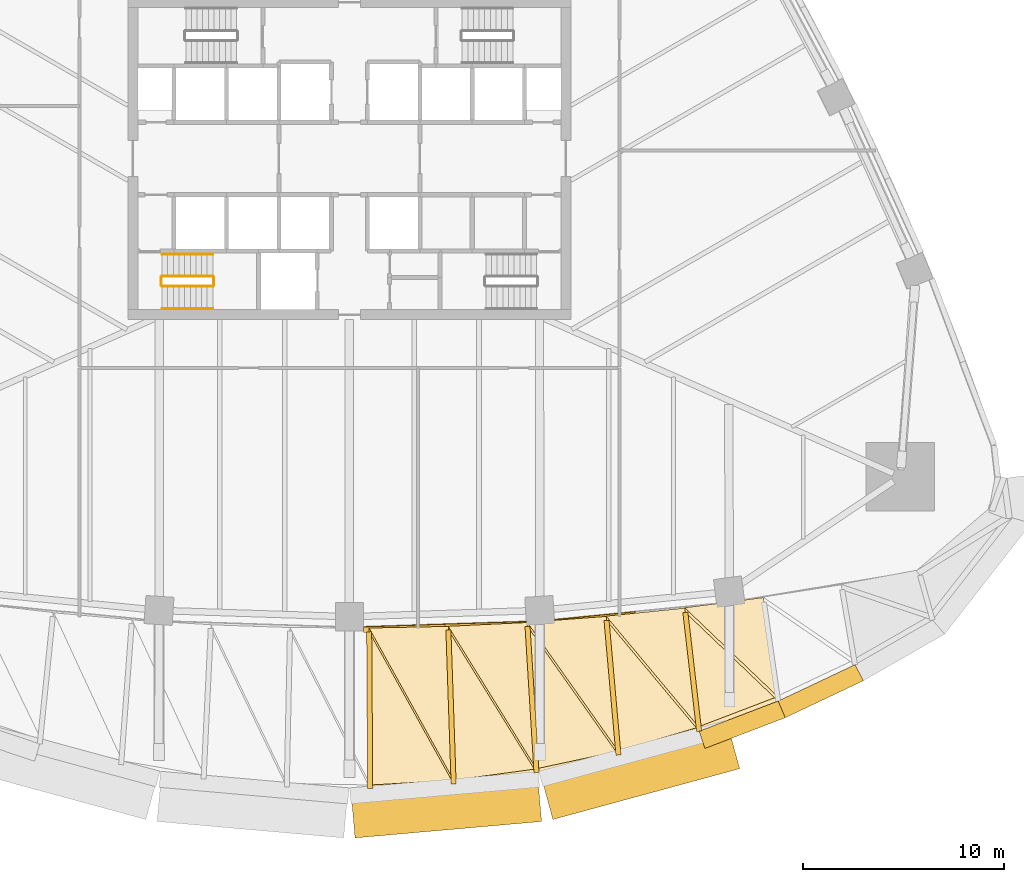
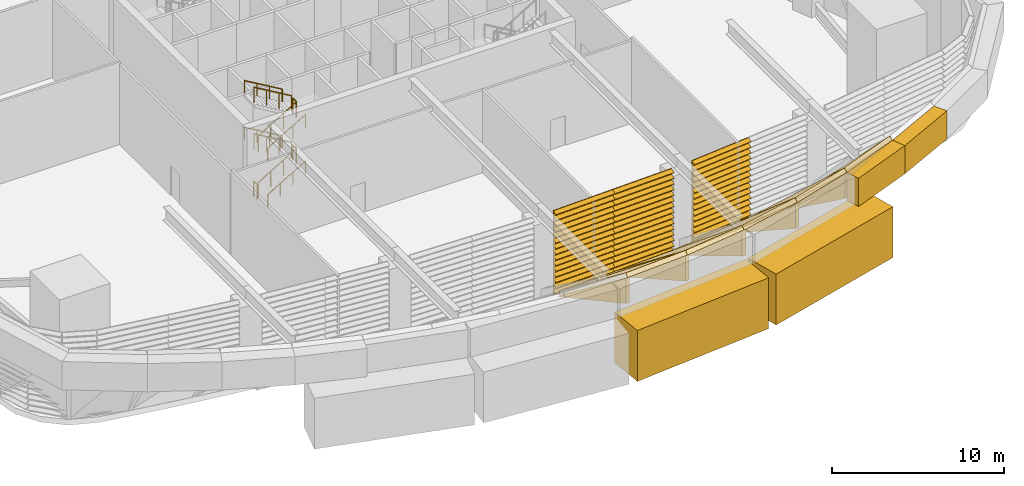
# One storey, part 10 of 15: 19 coverings, 11 railings, 3 shading devices.
"""IFC4 building model written with IfcOpenShell, lengths in metres."""

from ifc_helpers import new_model, si_unit, direction, frame, origin, origin_2d, place, context, subcontext, project, spatial, polyline, circle, outline, extrude, material, layer, layer_set, type_object, element, save


model = new_model("IFC4")

# Units and contexts
model_context = context("Model", 3, precision=1e-05, world=origin(), true_north=direction((0.0, 1.0)))
body_context = subcontext(model_context, "Body", "Model", "MODEL_VIEW")
ifc_project = project(units=[si_unit("LENGTHUNIT", "METRE"), si_unit("AREAUNIT", "SQUARE_METRE"), si_unit("VOLUMEUNIT", "CUBIC_METRE"), si_unit("PLANEANGLEUNIT", "RADIAN"), si_unit("MASSUNIT", "GRAM", prefix="KILO")], contexts=[model_context])

# Site, building, storey
site_placement = place(None, origin())
site = spatial("IfcSite", under=ifc_project, at=site_placement, CompositionType="ELEMENT")
building_placement = place(site_placement, origin())
building = spatial("IfcBuilding", under=site, at=building_placement, Name="Sierra Prisma Convention Tower", CompositionType="ELEMENT")
storey_placement = place(building_placement, frame((0.0, 0.0, 34.199951171875)))
storey = spatial("IfcBuildingStorey", under=building, at=storey_placement, Name="L05", CompositionType="ELEMENT", Elevation=34.199951171875)

# Railings
ifc_material_1 = material(Name="Stainless steel", Category="steel")
railing_type_1 = type_object("IfcRailingType", Name="Exit stair handrail", PredefinedType="HANDRAIL", material=ifc_material_1)
railing_1_placement = place(storey_placement, frame((-9.300048828125, -7.449951171875, 0.1650390625)))
element("IfcRailing", 1, at=railing_1_placement, inside=storey, type_object=railing_type_1, Name="L05 S1 stair handrail 1", PredefinedType="HANDRAIL", context=body_context, shape_type="SweptSolid", body=[
    extrude(circle(Radius=0.02392578125, at=origin_2d()), frame((0.0, 0.0, 0.8759765625), z_axis=(0.86152411907, 0.0, 0.507716645641), x_axis=(0.0, 1.0, 0.0)), (0.0, 0.0, 1.0), 2.925048828125),
    extrude(circle(Radius=0.02099609375, at=origin_2d()), origin(), (0.0, 0.0, 1.0), 0.851806640625),
    extrude(circle(Radius=0.02099609375, at=origin_2d()), frame((0.840087890625, 0.0, 0.4951171875)), (0.0, 0.0, 1.0), 0.851806640625),
    extrude(circle(Radius=0.02099609375, at=origin_2d()), frame((1.679931640625, 0.0, 0.989990234375)), (0.0, 0.0, 1.0), 0.851806640625),
    extrude(circle(Radius=0.02099609375, at=origin_2d()), frame((2.52001953125, 0.0, 1.485107421875)), (0.0, 0.0, 1.0), 0.851806640625),
])
railing_2_placement = place(storey_placement, frame((-6.780029296875, -4.75, 1.81494140625)))
element("IfcRailing", 2, at=railing_2_placement, inside=storey, type_object=railing_type_1, Name="L05 S1 stair handrail 2", PredefinedType="HANDRAIL", context=body_context, shape_type="SweptSolid", body=[
    extrude(circle(Radius=0.02392578125, at=origin_2d()), frame((0.0, 0.0, 0.8759765625), z_axis=(-0.86152411907, 0.0, 0.507716645641), x_axis=(0.0, -1.0, 0.0)), (0.0, 0.0, 1.0), 2.925048828125),
    extrude(circle(Radius=0.02099609375, at=origin_2d()), origin(), (0.0, 0.0, 1.0), 0.851806640625),
    extrude(circle(Radius=0.02099609375, at=origin_2d()), frame((-0.840087890625, 0.0, 0.4951171875)), (0.0, 0.0, 1.0), 0.851806640625),
    extrude(circle(Radius=0.02099609375, at=origin_2d()), frame((-1.679931640625, 0.0, 0.989990234375)), (0.0, 0.0, 1.0), 0.851806640625),
    extrude(circle(Radius=0.02099609375, at=origin_2d()), frame((-2.52001953125, 0.0, 1.485107421875)), (0.0, 0.0, 1.0), 0.851806640625),
])
railing_3_placement = place(storey_placement, frame((-9.300048828125, -7.449951171875, 3.465087890625)))
element("IfcRailing", 3, at=railing_3_placement, inside=storey, type_object=railing_type_1, Name="L05 S1 stair handrail 3", PredefinedType="HANDRAIL", context=body_context, shape_type="SweptSolid", body=[
    extrude(circle(Radius=0.02392578125, at=origin_2d()), frame((0.0, 0.0, 0.8759765625), z_axis=(0.861560626758, 0.0, 0.507654692109), x_axis=(0.0, 1.0, 0.0)), (0.0, 0.0, 1.0), 2.925048828125),
    extrude(circle(Radius=0.02099609375, at=origin_2d()), origin(), (0.0, 0.0, 1.0), 0.851806640625),
    extrude(circle(Radius=0.02099609375, at=origin_2d()), frame((0.840087890625, 0.0, 0.494873046875)), (0.0, 0.0, 1.0), 0.851806640625),
    extrude(circle(Radius=0.02099609375, at=origin_2d()), frame((1.679931640625, 0.0, 0.989990234375)), (0.0, 0.0, 1.0), 0.851806640625),
    extrude(circle(Radius=0.02099609375, at=origin_2d()), frame((2.52001953125, 0.0, 1.48486328125)), (0.0, 0.0, 1.0), 0.851806640625),
])
railing_4_placement = place(storey_placement, frame((-6.780029296875, -4.75, 5.114990234375)))
element("IfcRailing", 4, at=railing_4_placement, inside=storey, type_object=railing_type_1, Name="L05 S1 stair handrail 4", PredefinedType="HANDRAIL", context=body_context, shape_type="SweptSolid", body=[
    extrude(circle(Radius=0.02392578125, at=origin_2d()), frame((0.0, 0.0, 0.8759765625), z_axis=(-0.86152411907, 0.0, 0.507716645641), x_axis=(0.0, -1.0, 0.0)), (0.0, 0.0, 1.0), 2.925048828125),
    extrude(circle(Radius=0.02099609375, at=origin_2d()), origin(), (0.0, 0.0, 1.0), 0.851806640625),
    extrude(circle(Radius=0.02099609375, at=origin_2d()), frame((-0.840087890625, 0.0, 0.4951171875)), (0.0, 0.0, 1.0), 0.851806640625),
    extrude(circle(Radius=0.02099609375, at=origin_2d()), frame((-1.679931640625, 0.0, 0.989990234375)), (0.0, 0.0, 1.0), 0.851806640625),
    extrude(circle(Radius=0.02099609375, at=origin_2d()), frame((-2.52001953125, 0.0, 1.485107421875)), (0.0, 0.0, 1.0), 0.851806640625),
])

# Shading devices
ifc_material_2 = material(Name="Aluminium 6063-T6 bronze anodised", Category="aluminium")
shading_device_type = type_object("IfcShadingDeviceType", Name="Louvre bay bronze", PredefinedType="USERDEFINED", material=ifc_material_2)
shading_device_1_placement = place(storey_placement, frame((0.69970703125, -23.22705078125, 0.0), z_axis=(-0.999470863599, -0.032526801507, 0.0), x_axis=(0.0, 0.0, 1.0)))
element("IfcShadingDevice", 5, at=shading_device_1_placement, inside=storey, type_object=shading_device_type, Name="Louvre L05 S4.1", ObjectType="LOUVRE", PredefinedType="USERDEFINED", context=body_context, shape_type="SweptSolid", body=[
    extrude(outline(polyline([(0.0, 0.0), (6.0, 0.0), (6.0, -0.03004517173552959), (5.97998046875, -0.03004517173552959), (5.860107421875, -0.2999636944726791), (5.830078125, -0.2999636944726791), (5.949951171875, -0.03004517173552959), (5.60009765625, -0.03004517173552959), (5.580078125, -0.03004517173552959), (5.4599609375, -0.2999636944726791), (5.429931640625, -0.2999636944726791), (5.550048828125, -0.03004517173552959), (5.199951171875, -0.03004517173552959), (5.179931640625, -0.03004517173552959), (5.06005859375, -0.2999636944726791), (5.030029296875, -0.2999636944726791), (5.150146484375, -0.03004517173552959), (4.800048828125, -0.03004517173552959), (4.780029296875, -0.03004517173552959), (4.66015625, -0.2999636944726791), (4.630126953125, -0.2999636944726791), (4.75, -0.03004517173552959), (4.400146484375, -0.03004517173552959), (4.380126953125, -0.03004517173552959), (4.260009765625, -0.2999636944726791), (4.22998046875, -0.2999636944726791), (4.35009765625, -0.03004517173552959), (4.0, -0.03004517173552959), (3.97998046875, -0.03004517173552959), (3.860107421875, -0.2999636944726791), (3.830078125, -0.2999636944726791), (3.949951171875, -0.03004517173552959), (3.60009765625, -0.03004517173552959), (3.580078125, -0.03004517173552959), (3.4599609375, -0.2999636944726791), (3.429931640625, -0.2999636944726791), (3.550048828125, -0.03004517173552959), (3.199951171875, -0.03004517173552959), (3.179931640625, -0.03004517173552959), (3.06005859375, -0.2999636944726791), (3.030029296875, -0.2999636944726791), (3.150146484375, -0.03004517173552959), (2.800048828125, -0.03004517173552959), (2.780029296875, -0.03004517173552959), (2.66015625, -0.2999636944726791), (2.630126953125, -0.2999636944726791), (2.75, -0.03004517173552959), (2.400146484375, -0.03004517173552959), (2.380126953125, -0.03004517173552959), (2.260009765625, -0.2999636944726791), (2.22998046875, -0.2999636944726791), (2.35009765625, -0.03004517173552959), (2.0, -0.03004517173552959), (1.97998046875, -0.03004517173552959), (1.860107421875, -0.2999636944726791), (1.830078125, -0.2999636944726791), (1.949951171875, -0.03004517173552959), (1.60009765625, -0.03004517173552959), (1.580078125, -0.03004517173552959), (1.4599609375, -0.2999636944726791), (1.429931640625, -0.2999636944726791), (1.550048828125, -0.03004517173552959), (1.199951171875, -0.03004517173552959), (1.179931640625, -0.03004517173552959), (1.06005859375, -0.2999636944726791), (1.030029296875, -0.2999636944726791), (1.150146484375, -0.03004517173552959), (0.800048828125, -0.03004517173552959), (0.780029296875, -0.03004517173552959), (0.66015625, -0.2999636944726791), (0.630126953125, -0.2999636944726791), (0.75, -0.03004517173552959), (0.400146484375, -0.03004517173552959), (0.380126953125, -0.03004517173552959), (0.260009765625, -0.2999636944726791), (0.22998046875, -0.2999636944726791), (0.35009765625, -0.03004517173552959), (0.0, -0.03004517173552959), (0.0, 0.0)])), origin(), (0.0, 0.0, -1.0), 4.044189453125),
])
shading_device_2_placement = place(storey_placement, frame((4.74169921875, -23.093994140625, 0.0), z_axis=(-0.999470863599, -0.032526801507, 0.0), x_axis=(0.0, 0.0, 1.0)))
element("IfcShadingDevice", 6, at=shading_device_2_placement, inside=storey, type_object=shading_device_type, Name="Louvre L05 S4.2", ObjectType="LOUVRE", PredefinedType="USERDEFINED", context=body_context, shape_type="SweptSolid", body=[
    extrude(outline(polyline([(0.0, 0.0), (6.0, 0.0), (6.0, -0.03004517173552959), (5.97998046875, -0.03004517173552959), (5.860107421875, -0.2999636944726791), (5.830078125, -0.2999636944726791), (5.949951171875, -0.03004517173552959), (5.60009765625, -0.03004517173552959), (5.580078125, -0.03004517173552959), (5.4599609375, -0.2999636944726791), (5.429931640625, -0.2999636944726791), (5.550048828125, -0.03004517173552959), (5.199951171875, -0.03004517173552959), (5.179931640625, -0.03004517173552959), (5.06005859375, -0.2999636944726791), (5.030029296875, -0.2999636944726791), (5.150146484375, -0.03004517173552959), (4.800048828125, -0.03004517173552959), (4.780029296875, -0.03004517173552959), (4.66015625, -0.2999636944726791), (4.630126953125, -0.2999636944726791), (4.75, -0.03004517173552959), (4.400146484375, -0.03004517173552959), (4.380126953125, -0.03004517173552959), (4.260009765625, -0.2999636944726791), (4.22998046875, -0.2999636944726791), (4.35009765625, -0.03004517173552959), (4.0, -0.03004517173552959), (3.97998046875, -0.03004517173552959), (3.860107421875, -0.2999636944726791), (3.830078125, -0.2999636944726791), (3.949951171875, -0.03004517173552959), (3.60009765625, -0.03004517173552959), (3.580078125, -0.03004517173552959), (3.4599609375, -0.2999636944726791), (3.429931640625, -0.2999636944726791), (3.550048828125, -0.03004517173552959), (3.199951171875, -0.03004517173552959), (3.179931640625, -0.03004517173552959), (3.06005859375, -0.2999636944726791), (3.030029296875, -0.2999636944726791), (3.150146484375, -0.03004517173552959), (2.800048828125, -0.03004517173552959), (2.780029296875, -0.03004517173552959), (2.66015625, -0.2999636944726791), (2.630126953125, -0.2999636944726791), (2.75, -0.03004517173552959), (2.400146484375, -0.03004517173552959), (2.380126953125, -0.03004517173552959), (2.260009765625, -0.2999636944726791), (2.22998046875, -0.2999636944726791), (2.35009765625, -0.03004517173552959), (2.0, -0.03004517173552959), (1.97998046875, -0.03004517173552959), (1.860107421875, -0.2999636944726791), (1.830078125, -0.2999636944726791), (1.949951171875, -0.03004517173552959), (1.60009765625, -0.03004517173552959), (1.580078125, -0.03004517173552959), (1.4599609375, -0.2999636944726791), (1.429931640625, -0.2999636944726791), (1.550048828125, -0.03004517173552959), (1.199951171875, -0.03004517173552959), (1.179931640625, -0.03004517173552959), (1.06005859375, -0.2999636944726791), (1.030029296875, -0.2999636944726791), (1.150146484375, -0.03004517173552959), (0.800048828125, -0.03004517173552959), (0.780029296875, -0.03004517173552959), (0.66015625, -0.2999636944726791), (0.630126953125, -0.2999636944726791), (0.75, -0.03004517173552959), (0.400146484375, -0.03004517173552959), (0.380126953125, -0.03004517173552959), (0.260009765625, -0.2999636944726791), (0.22998046875, -0.2999636944726791), (0.35009765625, -0.03004517173552959), (0.0, -0.03004517173552959), (0.0, 0.0)])), origin(), (0.0, 0.0, -1.0), 4.044189453125),
])
shading_device_3_placement = place(storey_placement, frame((10.179931640625, -22.869140625, 0.0), z_axis=(-0.995215370304, -0.097705510133, 0.0), x_axis=(0.0, 0.0, 1.0)))
element("IfcShadingDevice", 7, at=shading_device_3_placement, inside=storey, type_object=shading_device_type, Name="Louvre L05 S5.1", ObjectType="LOUVRE", PredefinedType="USERDEFINED", context=body_context, shape_type="SweptSolid", body=[
    extrude(outline(polyline([(0.0, 0.0), (6.0, 0.0), (6.0, -0.030171864421144508), (5.97998046875, -0.030171864421144508), (5.860107421875, -0.3000416905781454), (5.830078125, -0.3000416905781454), (5.949951171875, -0.030171864421144508), (5.60009765625, -0.030171864421144508), (5.580078125, -0.030171864421144508), (5.4599609375, -0.3000416905781454), (5.429931640625, -0.3000416905781454), (5.550048828125, -0.030171864421144508), (5.199951171875, -0.030171864421144508), (5.179931640625, -0.030171864421144508), (5.06005859375, -0.3000416905781454), (5.030029296875, -0.3000416905781454), (5.150146484375, -0.030171864421144508), (4.800048828125, -0.030171864421144508), (4.780029296875, -0.030171864421144508), (4.66015625, -0.3000416905781454), (4.630126953125, -0.3000416905781454), (4.75, -0.030171864421144508), (4.400146484375, -0.030171864421144508), (4.380126953125, -0.030171864421144508), (4.260009765625, -0.3000416905781454), (4.22998046875, -0.3000416905781454), (4.35009765625, -0.030171864421144508), (4.0, -0.030171864421144508), (3.97998046875, -0.030171864421144508), (3.860107421875, -0.3000416905781454), (3.830078125, -0.3000416905781454), (3.949951171875, -0.030171864421144508), (3.60009765625, -0.030171864421144508), (3.580078125, -0.030171864421144508), (3.4599609375, -0.3000416905781454), (3.429931640625, -0.3000416905781454), (3.550048828125, -0.030171864421144508), (3.199951171875, -0.030171864421144508), (3.179931640625, -0.030171864421144508), (3.06005859375, -0.3000416905781454), (3.030029296875, -0.3000416905781454), (3.150146484375, -0.030171864421144508), (2.800048828125, -0.030171864421144508), (2.780029296875, -0.030171864421144508), (2.66015625, -0.3000416905781454), (2.630126953125, -0.3000416905781454), (2.75, -0.030171864421144508), (2.400146484375, -0.030171864421144508), (2.380126953125, -0.030171864421144508), (2.260009765625, -0.3000416905781454), (2.22998046875, -0.3000416905781454), (2.35009765625, -0.030171864421144508), (2.0, -0.030171864421144508), (1.97998046875, -0.030171864421144508), (1.860107421875, -0.3000416905781454), (1.830078125, -0.3000416905781454), (1.949951171875, -0.030171864421144508), (1.60009765625, -0.030171864421144508), (1.580078125, -0.030171864421144508), (1.4599609375, -0.3000416905781454), (1.429931640625, -0.3000416905781454), (1.550048828125, -0.030171864421144508), (1.199951171875, -0.030171864421144508), (1.179931640625, -0.030171864421144508), (1.06005859375, -0.3000416905781454), (1.030029296875, -0.3000416905781454), (1.150146484375, -0.030171864421144508), (0.800048828125, -0.030171864421144508), (0.780029296875, -0.030171864421144508), (0.66015625, -0.3000416905781454), (0.630126953125, -0.3000416905781454), (0.75, -0.030171864421144508), (0.400146484375, -0.030171864421144508), (0.380126953125, -0.030171864421144508), (0.260009765625, -0.3000416905781454), (0.22998046875, -0.3000416905781454), (0.35009765625, -0.030171864421144508), (0.0, -0.030171864421144508), (0.0, 0.0)])), origin(), (0.0, 0.0, -1.0), 4.044189453125),
])

# Coverings
ifc_material_3 = material(Name="Aluminium composite bronze anodised", Category="aluminium")
ifc_layer_1 = layer(ifc_material_3, 0.25)
ifc_layer_set_1 = layer_set([ifc_layer_1], Name="Overhang bracket")
covering_type_1 = type_object("IfcCoveringType", Name="Overhang bracket", PredefinedType="CLADDING", material=ifc_layer_set_1)
covering_1_placement = place(storey_placement, frame((0.8583984375, -23.49755859375, 0.0), z_axis=(-0.999976889833, -0.006798514478, 0.0), x_axis=(0.005386779053, -0.792328174298, 0.610071345684)))
element("IfcCovering", 8, at=covering_1_placement, inside=storey, type_object=covering_type_1, Name="Overhang bracket 10", PredefinedType="CLADDING", context=body_context, shape_type="SweptSolid", body=[
    extrude(outline(polyline([(0.0, 0.0), (9.83491528072144, 8.881784197001252e-16), (8.736757069849922, -1.4262623627964293), (0.0, 0.0)])), origin(), (0.0, 0.0, -1.0), 0.25),
])
covering_2_placement = place(storey_placement, frame((4.791259765625, -23.420654296875, 0.0), z_axis=(-0.999421314453, -0.034015235064, 0.0), x_axis=(0.02674731095, -0.785878228316, 0.617802550671)))
element("IfcCovering", 9, at=covering_2_placement, inside=storey, type_object=covering_type_1, Name="Overhang bracket 11", PredefinedType="CLADDING", context=body_context, shape_type="SweptSolid", body=[
    extrude(outline(polyline([(0.0, 0.0), (9.711840770937785, 0.0), (8.59976601358907, -1.4154382776023762), (0.0, 0.0)])), origin(), (0.0, 0.0, -1.0), 0.25),
])
covering_3_placement = place(storey_placement, frame((8.720458984375, -23.23681640625, 0.0), z_axis=(-0.998125767595, -0.061196013449, 0.0), x_axis=(0.047215727725, -0.770103015247, 0.636169805133)))
element("IfcCovering", 10, at=covering_3_placement, inside=storey, type_object=covering_type_1, Name="Overhang bracket 12", PredefinedType="CLADDING", context=body_context, shape_type="SweptSolid", body=[
    extrude(outline(polyline([(0.0, 0.0), (9.431444170389572, -8.881784197001252e-16), (8.28630745817131, -1.3888260128483116), (0.0, 0.0)])), origin(), (0.0, 0.0, -1.0), 0.25),
])
covering_4_placement = place(storey_placement, frame((12.643310546875, -22.9462890625, 0.0), z_axis=(-0.996092291733, -0.088318437202, 0.0), x_axis=(0.065844242338, -0.742618917708, 0.666469563306)))
element("IfcCovering", 11, at=covering_4_placement, inside=storey, type_object=covering_type_1, Name="Overhang bracket 13", PredefinedType="CLADDING", context=body_context, shape_type="SweptSolid", body=[
    extrude(outline(polyline([(0.0, 0.0), (9.002661682304176, 0.0), (7.802983925893615, -1.3419944353118267), (0.0, 0.0)])), origin(), (0.0, 0.0, -1.0), 0.25),
])
covering_5_placement = place(storey_placement, frame((16.556884765625, -22.549072265625, 0.0), z_axis=(-0.993323161479, -0.115365059137, 0.0), x_axis=(0.08116651475, -0.698864800492, 0.710633511394)))
element("IfcCovering", 12, at=covering_5_placement, inside=storey, type_object=covering_type_1, Name="Overhang bracket 14", PredefinedType="CLADDING", context=body_context, shape_type="SweptSolid", body=[
    extrude(outline(polyline([(0.0, 0.0), (8.443170641118433, -8.881784197001252e-16), (7.163995621706611, -1.266446624752481), (0.0, 0.0)])), origin(), (0.0, 0.0, -1.0), 0.25),
])
ifc_material_4 = material(Name="Aluminium composite bronze anodised", Category="aluminium")
ifc_layer_2 = layer(ifc_material_4, 0.89990234375)
ifc_layer_set_2 = layer_set([ifc_layer_2], Name="Overhang fascia")
covering_type_2 = type_object("IfcCoveringType", Name="Overhang fascia", PredefinedType="CLADDING", material=ifc_layer_set_2)
covering_6_placement = place(storey_placement, frame((0.0, 0.0, 4.0)))
element("IfcCovering", 13, at=covering_6_placement, inside=storey, type_object=covering_type_2, Name="Overhang fascia 14", PredefinedType="CLADDING", context=body_context, shape_type="SweptSolid", body=[
    extrude(outline(polyline([(17.366455078125, -28.435302734375), (21.2880859375, -26.937744140625), (21.6416015625, -27.76611328125), (17.655029296875, -29.288330078125), (17.366455078125, -28.435302734375)])), origin(), (0.0, 0.0, 1.0), 2.0),
])
covering_7_placement = place(storey_placement, frame((0.0, 0.0, 4.0)))
element("IfcCovering", 14, at=covering_7_placement, inside=storey, type_object=covering_type_2, Name="Overhang fascia 15", PredefinedType="CLADDING", context=body_context, shape_type="SweptSolid", body=[
    extrude(outline(polyline([(21.2880859375, -26.937744140625), (25.10546875, -25.13037109375), (25.522705078125, -25.9287109375), (21.6416015625, -27.76611328125), (21.2880859375, -26.937744140625)])), origin(), (0.0, 0.0, 1.0), 2.0),
])
ifc_material_5 = material(Name="Aluminium composite bronze anodised", Category="aluminium")
ifc_layer_3 = layer(ifc_material_5, 1.10009765625)
ifc_layer_set_3 = layer_set([ifc_layer_3], Name="Overhang fascia wedge")
covering_type_3 = type_object("IfcCoveringType", Name="Overhang fascia wedge", PredefinedType="CLADDING", material=ifc_layer_set_3)
covering_8_placement = place(storey_placement, frame((0.0, 0.0, 0.400146484375)))
element("IfcCovering", 15, at=covering_8_placement, inside=storey, type_object=covering_type_3, Name="Overhang fascia wedge", PredefinedType="CLADDING", context=body_context, shape_type="SweptSolid", body=[
    extrude(outline(polyline([(0.079345703125, -31.4423828125), (9.343017578125, -30.627685546875), (9.54443359375, -32.9189453125), (0.28076171875, -33.7333984375), (0.079345703125, -31.4423828125)])), origin(), (0.0, 0.0, 1.0), 3.599853515625),
])
covering_9_placement = place(storey_placement, frame((0.0, 0.0, 0.400146484375)))
element("IfcCovering", 16, at=covering_9_placement, inside=storey, type_object=covering_type_3, Name="Overhang fascia wedge", PredefinedType="CLADDING", context=body_context, shape_type="SweptSolid", body=[
    extrude(outline(polyline([(9.49951171875, -30.599609375), (18.774658203125, -28.0771484375), (19.37841796875, -30.29638671875), (10.103271484375, -32.819091796875), (9.49951171875, -30.599609375)])), origin(), (0.0, 0.0, 1.0), 3.599853515625),
])
ifc_material_6 = material(Name="Aluminium composite bronze anodised", Category="aluminium")
ifc_layer_4 = layer(ifc_material_6, 0.300048828125)
ifc_layer_set_4 = layer_set([ifc_layer_4], Name="Soffit panel bronze")
covering_type_4 = type_object("IfcCoveringType", Name="Soffit panel bronze", PredefinedType="CLADDING", material=ifc_layer_set_4)
covering_10_placement = place(storey_placement, frame((0.9833984375, -23.49658203125, 0.0), z_axis=(0.012577380302, -0.617710424665, -0.786305055792), x_axis=(0.999792773393, 0.02035706932, 0.0)))
element("IfcCovering", 17, at=covering_10_placement, inside=storey, type_object=covering_type_4, Name="Soffit panel 19", PredefinedType="CLADDING", context=body_context, shape_type="SweptSolid", body=[
    extrude(outline(polyline([(0.0, 0.0), (3.9336764905574855, -1.3877787807814457e-17), (4.037772441983428, 9.711276353490653), (0.0, 0.0)])), origin(), (0.0, 0.0, -1.0), 0.300048828125),
])
covering_11_placement = place(storey_placement, frame((0.9833984375, -23.49658203125, 0.0), z_axis=(0.035410876926, -0.609534434799, -0.791968334335), x_axis=(0.398619773624, -0.718081998445, 0.570491471965)))
element("IfcCovering", 18, at=covering_11_placement, inside=storey, type_object=covering_type_4, Name="Soffit panel 20", PredefinedType="CLADDING", context=body_context, shape_type="SweptSolid", body=[
    extrude(outline(polyline([(0.0, 0.0), (10.517247487204413, 0.0), (9.039882376527743, 3.8742599524579817), (0.0, 0.0)])), origin(), (0.0, 0.0, -1.0), 0.300048828125),
])
covering_12_placement = place(storey_placement, frame((4.916259765625, -23.41650390625, 0.0), z_axis=(0.030285597887, -0.635484240419, -0.771519645077), x_axis=(0.998866311562, 0.047603483346, 0.0)))
element("IfcCovering", 19, at=covering_12_placement, inside=storey, type_object=covering_type_4, Name="Soffit panel 21", PredefinedType="CLADDING", context=body_context, shape_type="SweptSolid", body=[
    extrude(outline(polyline([(0.0, 0.0), (3.9336587622080135, -2.7755575615628914e-17), (4.03246971348696, 9.430915022252256), (0.0, 0.0)])), origin(), (0.0, 0.0, -1.0), 0.300048828125),
])
covering_13_placement = place(storey_placement, frame((4.916259765625, -23.41650390625, 0.0), z_axis=(0.083044382386, -0.614142176714, -0.784814001745), x_axis=(0.426472807444, -0.689873381602, 0.584974924136)))
element("IfcCovering", 20, at=covering_13_placement, inside=storey, type_object=covering_type_4, Name="Soffit panel 22", PredefinedType="CLADDING", context=body_context, shape_type="SweptSolid", body=[
    extrude(outline(polyline([(0.0, 0.0), (10.256849913454563, 8.881784197001252e-16), (8.885865719119876, 3.919325809720368), (0.0, 0.0)])), origin(), (0.0, 0.0, -1.0), 0.300048828125),
])
covering_14_placement = place(storey_placement, frame((8.845458984375, -23.229248046875, 0.0), z_axis=(0.049849832197, -0.664636849859, -0.745501745162), x_axis=(0.997199078427, 0.074793034327, 0.0)))
element("IfcCovering", 21, at=covering_14_placement, inside=storey, type_object=covering_type_4, Name="Soffit panel 23", PredefinedType="CLADDING", context=body_context, shape_type="SweptSolid", body=[
    extrude(outline(polyline([(0.0, 0.0), (3.933380371185611, -2.7755575615628914e-17), (4.0244611598571, 9.002200933991798), (0.0, 0.0)])), origin(), (0.0, 0.0, -1.0), 0.300048828125),
])
covering_15_placement = place(storey_placement, frame((8.845458984375, -23.229248046875, 0.0), z_axis=(0.134140225461, -0.6262256227, -0.768015539809), x_axis=(0.457886211273, -0.648156327724, 0.608468234468)))
element("IfcCovering", 22, at=covering_15_placement, inside=storey, type_object=covering_type_4, Name="Soffit panel 24", PredefinedType="CLADDING", context=body_context, shape_type="SweptSolid", body=[
    extrude(outline(polyline([(0.0, 0.0), (9.860827008073976, 0.0), (8.562278477351956, 3.9546566269793133), (0.0, 0.0)])), origin(), (0.0, 0.0, -1.0), 0.300048828125),
])
covering_16_placement = place(storey_placement, frame((12.767822265625, -22.93505859375, 0.0), z_axis=(0.072333891003, -0.706975572496, -0.703529209135), x_axis=(0.994806604935, 0.101783194965, 0.0)))
element("IfcCovering", 23, at=covering_16_placement, inside=storey, type_object=covering_type_4, Name="Soffit panel 25", PredefinedType="CLADDING", context=body_context, shape_type="SweptSolid", body=[
    extrude(outline(polyline([(0.0, 0.0), (3.9337596460569, 0.0), (4.0149178738265325, 8.442780573786669), (0.0, 0.0)])), origin(), (0.0, 0.0, -1.0), 0.300048828125),
])
covering_17_placement = place(storey_placement, frame((12.767822265625, -22.93505859375, 0.0), z_axis=(0.191191978248, -0.646154063664, -0.738871134545), x_axis=(0.491895382516, -0.588336752639, 0.64179342327)))
element("IfcCovering", 24, at=covering_17_placement, inside=storey, type_object=covering_type_4, Name="Soffit panel 26", PredefinedType="CLADDING", context=body_context, shape_type="SweptSolid", body=[
    extrude(outline(polyline([(0.0, 0.0), (9.348802562397031, -4.440892098500626e-16), (8.075695994461215, 3.9788254009281343), (0.0, 0.0)])), origin(), (0.0, 0.0, -1.0), 0.300048828125),
])
covering_18_placement = place(storey_placement, frame((16.68115234375, -22.53466796875, 0.0), z_axis=(0.099358028456, -0.764296206377, -0.637165042276), x_axis=(0.99165569669, 0.128914619893, 0.0)))
element("IfcCovering", 25, at=covering_18_placement, inside=storey, type_object=covering_type_4, Name="Soffit panel 27", PredefinedType="CLADDING", context=body_context, shape_type="SweptSolid", body=[
    extrude(outline(polyline([(0.0, 0.0), (3.933456721566116, 5.551115123125783e-17), (4.0008710514593995, 7.784853739290795), (0.0, 0.0)])), origin(), (0.0, 0.0, -1.0), 0.300048828125),
])
covering_19_placement = place(storey_placement, frame((16.68115234375, -22.53466796875, 0.0), z_axis=(0.257418525674, -0.674097453196, -0.692335414545), x_axis=(0.526340298097, -0.503049670173, 0.685497571066)))
element("IfcCovering", 26, at=covering_19_placement, inside=storey, type_object=covering_type_4, Name="Soffit panel 28", PredefinedType="CLADDING", context=body_context, shape_type="SweptSolid", body=[
    extrude(outline(polyline([(0.0, 0.0), (8.752766243454449, -4.440892098500626e-16), (7.442000244557381, 3.9879522107282264), (0.0, 0.0)])), origin(), (0.0, 0.0, -1.0), 0.300048828125),
])

# Railings
ifc_material_7 = material(Name="Stainless steel", Category="steel")
railing_type_2 = type_object("IfcRailingType", Name="Stair guard 1100", PredefinedType="GUARDRAIL", material=ifc_material_7)
railing_5_placement = place(storey_placement, frame((-9.300048828125, -6.35009765625, 0.1650390625)))
element("IfcRailing", 27, at=railing_5_placement, inside=storey, type_object=railing_type_2, Name="L05 S1 stair guard 1", PredefinedType="GUARDRAIL", context=body_context, shape_type="SweptSolid", body=[
    extrude(circle(Radius=0.02392578125, at=origin_2d()), frame((0.0, 0.0, 1.076171875), z_axis=(0.86152411907, 0.0, 0.507716645641), x_axis=(0.0, 1.0, 0.0)), (0.0, 0.0, 1.0), 2.925048828125),
    extrude(circle(Radius=0.02099609375, at=origin_2d()), origin(), (0.0, 0.0, 1.0), 1.052001953125),
    extrude(circle(Radius=0.02099609375, at=origin_2d()), frame((0.840087890625, 0.0, 0.4951171875)), (0.0, 0.0, 1.0), 1.052001953125),
    extrude(circle(Radius=0.02099609375, at=origin_2d()), frame((1.679931640625, 0.0, 0.989990234375)), (0.0, 0.0, 1.0), 1.052001953125),
    extrude(circle(Radius=0.02099609375, at=origin_2d()), frame((2.52001953125, 0.0, 1.485107421875)), (0.0, 0.0, 1.0), 1.052001953125),
])
railing_6_placement = place(storey_placement, frame((-6.72998046875, -6.300048828125, 1.650146484375)))
element("IfcRailing", 28, at=railing_6_placement, inside=storey, type_object=railing_type_2, Name="L05 S1 stair guard 2", PredefinedType="GUARDRAIL", context=body_context, shape_type="SweptSolid", body=[
    extrude(circle(Radius=0.02392578125, at=origin_2d()), frame((0.0, 0.0, 1.076171875), z_axis=(0.0, 1.0, 0.0), x_axis=(-1.0, 0.0, 0.0)), (0.0, 0.0, 1.0), 0.400146484375),
    extrude(circle(Radius=0.02099609375, at=origin_2d()), origin(), (0.0, 0.0, 1.0), 1.052001953125),
    extrude(circle(Radius=0.02099609375, at=origin_2d()), frame((0.0, 0.400146484375, 0.0)), (0.0, 0.0, 1.0), 1.052001953125),
])
railing_7_placement = place(storey_placement, frame((-6.780029296875, -5.85009765625, 1.81494140625)))
element("IfcRailing", 29, at=railing_7_placement, inside=storey, type_object=railing_type_2, Name="L05 S1 stair guard 3", PredefinedType="GUARDRAIL", context=body_context, shape_type="SweptSolid", body=[
    extrude(circle(Radius=0.02392578125, at=origin_2d()), frame((0.0, 0.0, 1.076171875), z_axis=(-0.86152411907, 0.0, 0.507716645641), x_axis=(0.0, -1.0, 0.0)), (0.0, 0.0, 1.0), 2.925048828125),
    extrude(circle(Radius=0.02099609375, at=origin_2d()), origin(), (0.0, 0.0, 1.0), 1.052001953125),
    extrude(circle(Radius=0.02099609375, at=origin_2d()), frame((-0.840087890625, 0.0, 0.4951171875)), (0.0, 0.0, 1.0), 1.052001953125),
    extrude(circle(Radius=0.02099609375, at=origin_2d()), frame((-1.679931640625, 0.0, 0.989990234375)), (0.0, 0.0, 1.0), 1.052001953125),
    extrude(circle(Radius=0.02099609375, at=origin_2d()), frame((-2.52001953125, 0.0, 1.485107421875)), (0.0, 0.0, 1.0), 1.052001953125),
])
railing_8_placement = place(storey_placement, frame((-9.300048828125, -6.35009765625, 3.465087890625)))
element("IfcRailing", 30, at=railing_8_placement, inside=storey, type_object=railing_type_2, Name="L05 S1 stair guard 5", PredefinedType="GUARDRAIL", context=body_context, shape_type="SweptSolid", body=[
    extrude(circle(Radius=0.02392578125, at=origin_2d()), frame((0.0, 0.0, 1.076171875), z_axis=(0.861560626758, 0.0, 0.507654692109), x_axis=(0.0, 1.0, 0.0)), (0.0, 0.0, 1.0), 2.925048828125),
    extrude(circle(Radius=0.02099609375, at=origin_2d()), origin(), (0.0, 0.0, 1.0), 1.052001953125),
    extrude(circle(Radius=0.02099609375, at=origin_2d()), frame((0.840087890625, 0.0, 0.494873046875)), (0.0, 0.0, 1.0), 1.052001953125),
    extrude(circle(Radius=0.02099609375, at=origin_2d()), frame((1.679931640625, 0.0, 0.989990234375)), (0.0, 0.0, 1.0), 1.052001953125),
    extrude(circle(Radius=0.02099609375, at=origin_2d()), frame((2.52001953125, 0.0, 1.48486328125)), (0.0, 0.0, 1.0), 1.052001953125),
])
railing_9_placement = place(storey_placement, frame((-6.72998046875, -6.300048828125, 4.949951171875)))
element("IfcRailing", 31, at=railing_9_placement, inside=storey, type_object=railing_type_2, Name="L05 S1 stair guard 6", PredefinedType="GUARDRAIL", context=body_context, shape_type="SweptSolid", body=[
    extrude(circle(Radius=0.02392578125, at=origin_2d()), frame((0.0, 0.0, 1.076171875), z_axis=(0.0, 1.0, 0.0), x_axis=(-1.0, 0.0, 0.0)), (0.0, 0.0, 1.0), 0.400146484375),
    extrude(circle(Radius=0.02099609375, at=origin_2d()), origin(), (0.0, 0.0, 1.0), 1.052001953125),
    extrude(circle(Radius=0.02099609375, at=origin_2d()), frame((0.0, 0.400146484375, 0.0)), (0.0, 0.0, 1.0), 1.052001953125),
])
railing_10_placement = place(storey_placement, frame((-6.780029296875, -5.85009765625, 5.114990234375)))
element("IfcRailing", 32, at=railing_10_placement, inside=storey, type_object=railing_type_2, Name="L05 S1 stair guard 7", PredefinedType="GUARDRAIL", context=body_context, shape_type="SweptSolid", body=[
    extrude(circle(Radius=0.02392578125, at=origin_2d()), frame((0.0, 0.0, 1.076171875), z_axis=(-0.86152411907, 0.0, 0.507716645641), x_axis=(0.0, -1.0, 0.0)), (0.0, 0.0, 1.0), 2.925048828125),
    extrude(circle(Radius=0.02099609375, at=origin_2d()), origin(), (0.0, 0.0, 1.0), 1.052001953125),
    extrude(circle(Radius=0.02099609375, at=origin_2d()), frame((-0.840087890625, 0.0, 0.4951171875)), (0.0, 0.0, 1.0), 1.052001953125),
    extrude(circle(Radius=0.02099609375, at=origin_2d()), frame((-1.679931640625, 0.0, 0.989990234375)), (0.0, 0.0, 1.0), 1.052001953125),
    extrude(circle(Radius=0.02099609375, at=origin_2d()), frame((-2.52001953125, 0.0, 1.485107421875)), (0.0, 0.0, 1.0), 1.052001953125),
])
railing_11_placement = place(storey_placement, frame((-9.35009765625, -6.300048828125, 0.0)))
element("IfcRailing", 33, at=railing_11_placement, inside=storey, type_object=railing_type_2, Name="L05 S1 stair guard 8", PredefinedType="GUARDRAIL", context=body_context, shape_type="SweptSolid", body=[
    extrude(circle(Radius=0.02392578125, at=origin_2d()), frame((0.0, 0.0, 1.076171875), z_axis=(0.0, 1.0, 0.0), x_axis=(-1.0, 0.0, 0.0)), (0.0, 0.0, 1.0), 0.400146484375),
    extrude(circle(Radius=0.02099609375, at=origin_2d()), origin(), (0.0, 0.0, 1.0), 1.052001953125),
    extrude(circle(Radius=0.02099609375, at=origin_2d()), frame((0.0, 0.400146484375, 0.0)), (0.0, 0.0, 1.0), 1.052001953125),
])

save(model, "model.ifc")
